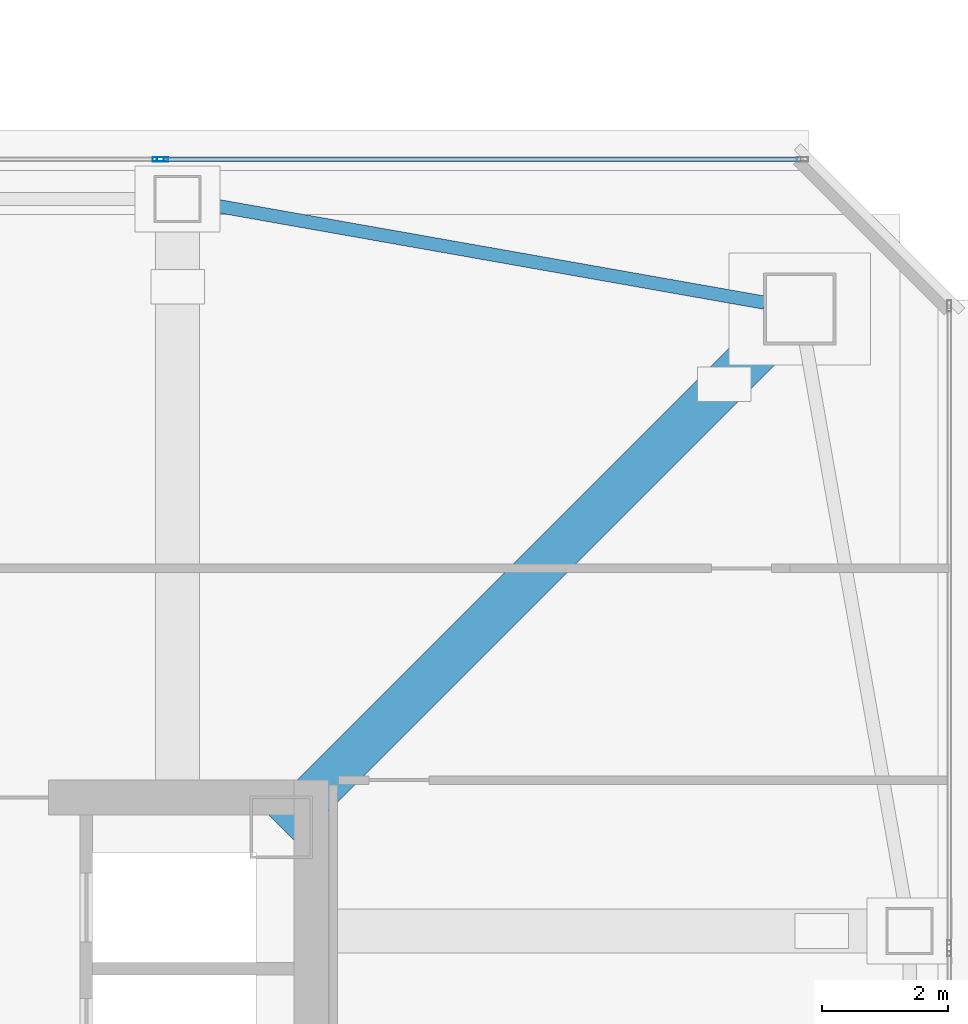
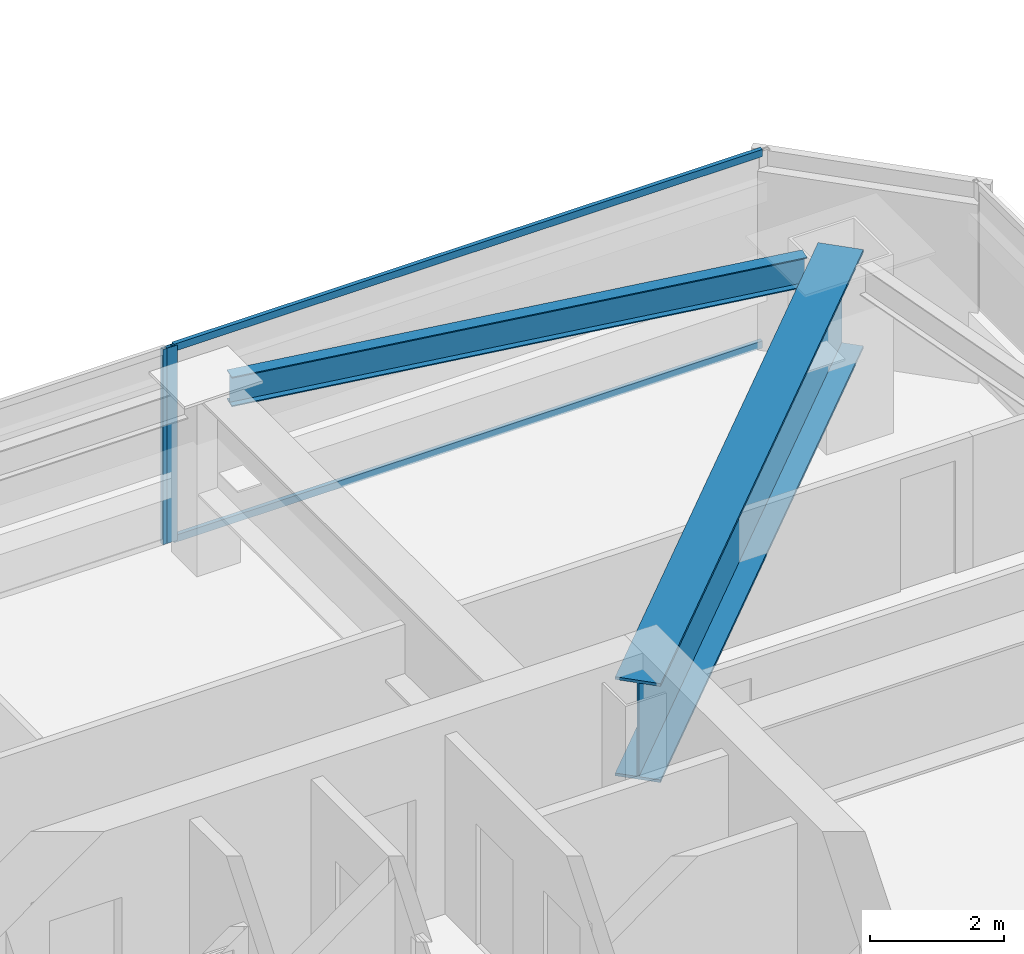
# One storey, part 14 of 42: 4 members, 2 beams, 2 elements without a shape of their own.
"""IFC4 building model written with IfcOpenShell, lengths in metres."""

from ifc_helpers import new_model, si_unit, direction, frame, origin, origin_2d, place, context, subcontext, project, spatial, hollow_rectangle, i_section, extrude, material, material_profile, profile_set, type_object, element, aggregate, save


model = new_model("IFC4")

# Units and contexts
model_context = context("Model", 3, precision=1e-05, world=origin(), true_north=direction((0.0, 1.0)))
body_context = subcontext(model_context, "Body", "Model", "MODEL_VIEW")
ifc_project = project(units=[si_unit("LENGTHUNIT", "METRE"), si_unit("AREAUNIT", "SQUARE_METRE"), si_unit("VOLUMEUNIT", "CUBIC_METRE"), si_unit("PLANEANGLEUNIT", "RADIAN"), si_unit("MASSUNIT", "GRAM", prefix="KILO")], contexts=[model_context])

# Site, building, storey
site_placement = place(None, origin())
site = spatial("IfcSite", under=ifc_project, at=site_placement, CompositionType="ELEMENT")
building_placement = place(site_placement, origin())
building = spatial("IfcBuilding", under=site, at=building_placement, Name="Tashvorn Skyway Center", CompositionType="ELEMENT")
storey_placement = place(building_placement, frame((0.0, 0.0, 196.050048828125)))
storey = spatial("IfcBuildingStorey", under=building, at=storey_placement, Name="L53", CompositionType="ELEMENT", Elevation=196.050048828125)

# Beams
ifc_material_1 = material(Name="Steel ASTM A572 Grade 50", Category="steel")
ifc_material_profile_1 = material_profile(ifc_material_1, i_section(OverallWidth=0.699951171875, OverallDepth=1.800048828125, WebThickness=0.031982421875, FlangeThickness=0.050048828125, at=origin_2d()), Name="PG1800x700")
ifc_profile_set_1 = profile_set([ifc_material_profile_1], Name="Steel ASTM A572 Grade 50")
beam_type_1 = type_object("IfcBeamType", Name="BM-BEAM-PG1800x700", PredefinedType="BEAM", material=ifc_profile_set_1)
beam_1_placement = place(storey_placement, frame((57.300048828125, 47.300048828125, 2.349853515625), z_axis=(-0.707106781187, -0.707106781187, 0.0), x_axis=(0.707106781187, -0.707106781187, 0.0)))
element("IfcBeam", 1, at=beam_1_placement, inside=storey, type_object=beam_type_1, Name="Tower 1 L53 Setback Transfer Girder MC-NE", PredefinedType="BEAM", context=body_context, shape_type="SweptSolid", body=[
    extrude(i_section(OverallWidth=0.699951171875, OverallDepth=1.800048828125, WebThickness=0.031982421875, FlangeThickness=0.050048828125, at=origin_2d()), origin(), (0.0, 0.0, 1.0), 11.667236328125),
])
ifc_material_2 = material(Name="Steel ASTM A992 Grade 50", Category="steel")
ifc_material_profile_2 = material_profile(ifc_material_2, i_section(OverallWidth=0.2109375, OverallDepth=0.5390625, WebThickness=0.01171875, FlangeThickness=0.018798828125, at=origin_2d()), Name="W21X73")
ifc_profile_set_2 = profile_set([ifc_material_profile_2], Name="Steel ASTM A992 Grade 50")
beam_type_2 = type_object("IfcBeamType", Name="BM-SPANDREL-W21X73", PredefinedType="SPANDREL", material=ifc_profile_set_2)
beam_2_placement = place(storey_placement, frame((56.73876953125, 47.399169921875, 2.98046875), z_axis=(-0.984732545667, 0.174074160933, 0.0), x_axis=(-0.174074160933, -0.984732545667, 0.0)))
element("IfcBeam", 2, at=beam_2_placement, inside=storey, type_object=beam_type_2, Name="Tower 1 L53 Spandrel Beam 07", PredefinedType="SPANDREL", context=body_context, shape_type="SweptSolid", body=[
    extrude(i_section(OverallWidth=0.2109375, OverallDepth=0.5390625, WebThickness=0.01171875, FlangeThickness=0.018798828125, at=origin_2d()), origin(), (0.0, 0.0, 1.0), 9.113525390625),
])

# Curtain wall, member
ifc_material_3 = material(Name="Thermally broken bronze-anodized aluminium 6063-T6", Category="aluminium")
curtain_wall_type = type_object("IfcCurtainWallType", Name="CW-CW-Z4", PredefinedType="NOTDEFINED", material=ifc_material_3)
curtain_wall_1_placement = place(storey_placement, origin())
curtain_wall_1 = element("IfcCurtainWall", 3, at=curtain_wall_1_placement, inside=storey, type_object=curtain_wall_type, Name="Tower 1 L53 North Unitised Curtain Wall Glazing Group 3", PredefinedType="NOTDEFINED")
ifc_material_profile_3 = material_profile(ifc_material_3, hollow_rectangle(XDim=0.070068359375, YDim=0.179931640625, WallThickness=0.00390625, at=origin_2d()), Name="ALU-MULL-70x180")
ifc_profile_set_3 = profile_set([ifc_material_profile_3], Name="Thermally broken bronze-anodized aluminium 6063-T6")
member_type_1 = type_object("IfcMemberType", Name="CWM-CW-Z4", PredefinedType="MULLION", material=ifc_profile_set_3)
member_1_placement = place(storey_placement, frame((47.091796875, 49.679931640625, 0.0), z_axis=(0.0, 0.0, 1.0), x_axis=(0.0, 1.0, 0.0)))
member_1 = element("IfcMember", 4, at=member_1_placement, type_object=member_type_1, Name="CW-Z4 mullion 2", PredefinedType="MULLION", context=body_context, shape_type="SweptSolid", body=[
    extrude(hollow_rectangle(XDim=0.070068359375, YDim=0.179931640625, WallThickness=0.00390625, at=origin_2d()), origin(), (0.0, 0.0, 1.0), 3.550048828125),
])
aggregate(curtain_wall_1, [member_1])

# Curtain wall, members
curtain_wall_2_placement = place(storey_placement, origin())
curtain_wall_2 = element("IfcCurtainWall", 5, at=curtain_wall_2_placement, inside=storey, type_object=curtain_wall_type, Name="Tower 1 L53 North Unitised Curtain Wall Glazing Group 4", PredefinedType="NOTDEFINED")
member_2_placement = place(storey_placement, frame((47.16162109375, 49.679931640625, 0.0), z_axis=(0.0, 0.0, 1.0), x_axis=(0.0, 1.0, 0.0)))
member_2 = element("IfcMember", 6, at=member_2_placement, type_object=member_type_1, Name="CW-Z4 mullion 1", PredefinedType="MULLION", context=body_context, shape_type="SweptSolid", body=[
    extrude(hollow_rectangle(XDim=0.070068359375, YDim=0.179931640625, WallThickness=0.00390625, at=origin_2d()), origin(), (0.0, 0.0, 1.0), 3.550048828125),
])
ifc_material_profile_4 = material_profile(ifc_material_3, hollow_rectangle(XDim=0.070068359375, YDim=0.1298828125, WallThickness=0.00390625, at=origin_2d()), Name="ALU-TRAN-70x130")
ifc_profile_set_4 = profile_set([ifc_material_profile_4], Name="Thermally broken bronze-anodized aluminium 6063-T6")
member_type_2 = type_object("IfcMemberType", Name="CWT-CW-Z4", PredefinedType="USERDEFINED", material=ifc_profile_set_4)
member_3_placement = place(storey_placement, frame((47.19677734375, 49.679931640625, 0.034912109375), z_axis=(1.0, 0.0, 0.0), x_axis=(0.0, 1.0, 0.0)))
member_3 = element("IfcMember", 7, at=member_3_placement, type_object=member_type_2, Name="CW-Z4 transom 1.1", ObjectType="TRANSOM", PredefinedType="USERDEFINED", context=body_context, shape_type="SweptSolid", body=[
    extrude(hollow_rectangle(XDim=0.070068359375, YDim=0.1298828125, WallThickness=0.00390625, at=origin_2d()), origin(), (0.0, 0.0, 1.0), 10.11328125),
])
member_4_placement = place(storey_placement, frame((47.19677734375, 49.679931640625, 3.514892578125), z_axis=(1.0, 0.0, 0.0), x_axis=(0.0, 1.0, 0.0)))
member_4 = element("IfcMember", 8, at=member_4_placement, type_object=member_type_2, Name="CW-Z4 transom 1.2", ObjectType="TRANSOM", PredefinedType="USERDEFINED", context=body_context, shape_type="SweptSolid", body=[
    extrude(hollow_rectangle(XDim=0.070068359375, YDim=0.1298828125, WallThickness=0.00390625, at=origin_2d()), origin(), (0.0, 0.0, 1.0), 10.11328125),
])
aggregate(curtain_wall_2, [member_2, member_3, member_4])

save(model, "model.ifc")
